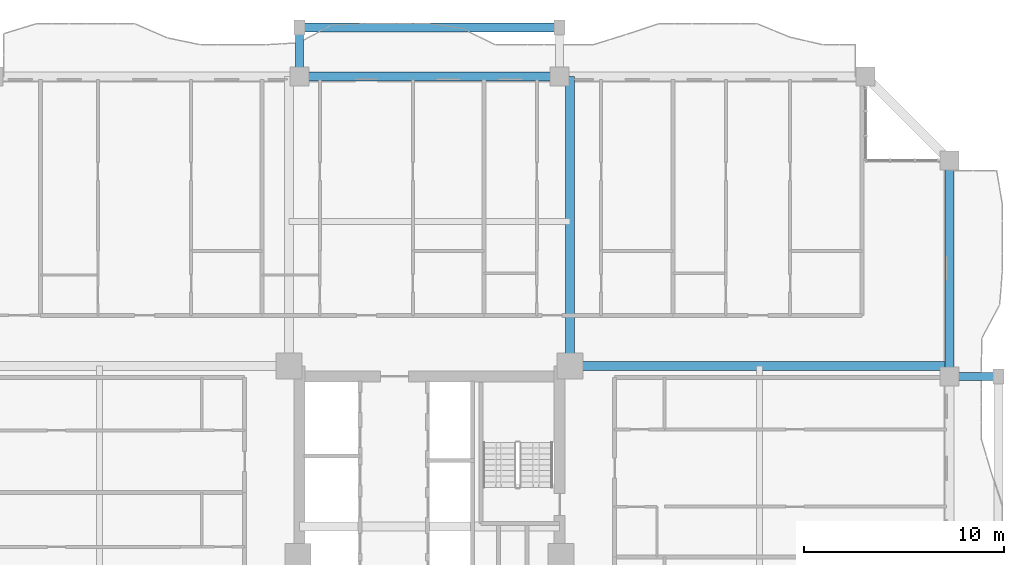
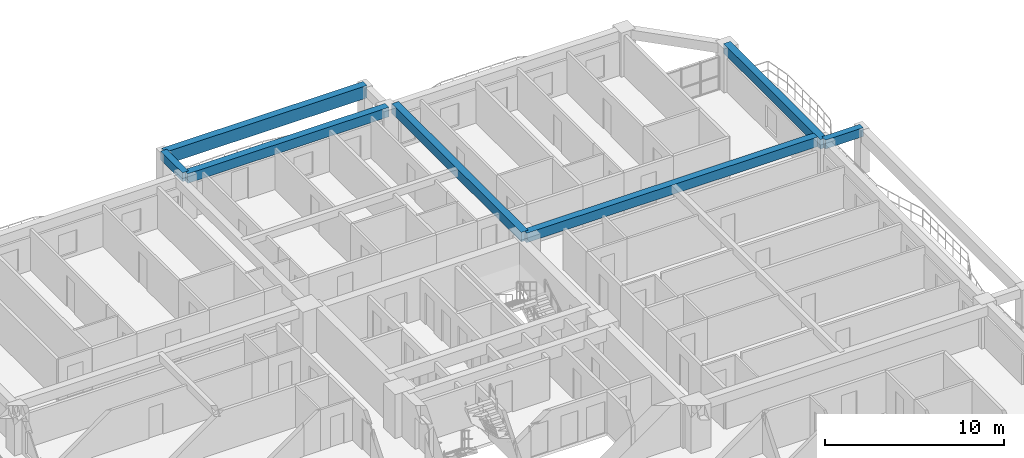
# One storey, part 9 of 26: 7 beams.
"""IFC4 building model written with IfcOpenShell, lengths in metres."""

from ifc_helpers import new_model, si_unit, direction, frame, origin, origin_2d, place, context, subcontext, project, spatial, rectangle, extrude, source, transform, mapped, material, material_profile, profile_set, type_object, element, save


model = new_model("IFC4")

# Units and contexts
model_context = context("Model", 3, precision=1e-05, world=origin(), true_north=direction((0.0, 1.0)))
body_context = subcontext(model_context, "Body", "Model", "MODEL_VIEW")
ifc_project = project(units=[si_unit("LENGTHUNIT", "METRE"), si_unit("AREAUNIT", "SQUARE_METRE"), si_unit("VOLUMEUNIT", "CUBIC_METRE"), si_unit("PLANEANGLEUNIT", "RADIAN"), si_unit("MASSUNIT", "GRAM", prefix="KILO")], contexts=[model_context])

# Site, building, storey
site_placement = place(None, origin())
site = spatial("IfcSite", under=ifc_project, at=site_placement, CompositionType="ELEMENT")
building_placement = place(site_placement, origin())
building = spatial("IfcBuilding", under=site, at=building_placement, Name="Saelheon Loggia Tower", CompositionType="ELEMENT")
storey_placement = place(building_placement, frame((0.0, 0.0, 89.85009765625)))
storey = spatial("IfcBuildingStorey", under=building, at=storey_placement, Name="L28", CompositionType="ELEMENT", Elevation=89.85009765625)

# Beams
ifc_material_1 = material(Name="Precast Concrete C45/55", Category="concrete")
ifc_material_profile_1 = material_profile(ifc_material_1, rectangle(XDim=0.449951171875, YDim=0.85009765625, at=origin_2d()), Name="RC-450x850")
ifc_profile_set_1 = profile_set([ifc_material_profile_1], Name="Precast Concrete C45/55")
beam_type_1 = type_object("IfcBeamType", Name="Beam_LoggiaSpandrel_RC450x850", PredefinedType="SPANDREL", material=ifc_profile_set_1)
shared_shape_1 = source(origin(), body_context, "Body", "SweptSolid", [
    extrude(rectangle(XDim=0.449951171875, YDim=0.85009765625, at=origin_2d()), origin(), (0.0, 0.0, 1.0), 13.0),
])
beam_1_placement = place(storey_placement, frame((31.5, 53.449951171875, 2.574951171875), z_axis=(1.0, 0.0, 0.0), x_axis=(0.0, 1.0, 0.0)))
element("IfcBeam", 1, at=beam_1_placement, inside=storey, type_object=beam_type_1, Name="L28 Loggia Spandrel Beam N", PredefinedType="SPANDREL", context=body_context, shape_type="MappedRepresentation", body=[
    mapped(shared_shape_1, transform((0.0, 0.0, 0.0), scale=1.0)),
])
ifc_material_profile_2 = material_profile(ifc_material_1, rectangle(XDim=0.39990234375, YDim=0.60009765625, at=origin_2d()), Name="RC-400x600")
ifc_profile_set_2 = profile_set([ifc_material_profile_2], Name="Precast Concrete C45/55")
beam_type_2 = type_object("IfcBeamType", Name="Beam_LoggiaTie_RC400x600", PredefinedType="BEAM", material=ifc_profile_set_2)
shared_shape_2 = source(origin(), body_context, "Body", "SweptSolid", [
    extrude(rectangle(XDim=0.39990234375, YDim=0.60009765625, at=origin_2d()), origin(), (0.0, 0.0, 1.0), 2.449951171875),
])
for number, where, z_axis, x_axis, name in (
    (2, (31.5, 51.0, 2.699951171875), (0.0, 1.0, 0.0), (-1.0, 0.0, 0.0), "L28 Loggia Frame Tie Beam LP-N1"),
    (3, (64.0, 36.0, 2.699951171875), (1.0, 0.0, 0.0), (0.0, 1.0, 0.0), "L28 Loggia Frame Tie Beam LP-E2"),
):
    element("IfcBeam", number, at=place(storey_placement, frame(where, z_axis=z_axis, x_axis=x_axis)), inside=storey, type_object=beam_type_2, Name=name, PredefinedType="BEAM", context=body_context, shape_type="MappedRepresentation", body=[
        mapped(shared_shape_2, transform((0.0, 0.0, 0.0), scale=1.0)),
    ])
ifc_material_2 = material(Name="Concrete C40/50", Category="concrete")
ifc_material_profile_3 = material_profile(ifc_material_2, rectangle(XDim=0.449951171875, YDim=0.64990234375, at=origin_2d()), Name="RC-450x650")
ifc_profile_set_3 = profile_set([ifc_material_profile_3], Name="Concrete C40/50")
beam_type_3 = type_object("IfcBeamType", Name="Beam_PerimTower_RC450x650", PredefinedType="BEAM", material=ifc_profile_set_3)
shared_shape_3 = source(origin(), body_context, "Body", "SweptSolid", [
    extrude(rectangle(XDim=0.449951171875, YDim=0.64990234375, at=origin_2d()), origin(), (0.0, 0.0, 1.0), 13.0),
])
beam_2_placement = place(storey_placement, frame((44.5, 51.0, 2.6748046875), z_axis=(-1.0, 0.0, 0.0), x_axis=(0.0, -1.0, 0.0)))
element("IfcBeam", 4, at=beam_2_placement, inside=storey, type_object=beam_type_3, Name="L28 Perimeter Frame Girder 10", PredefinedType="BEAM", context=body_context, shape_type="MappedRepresentation", body=[
    mapped(shared_shape_3, transform((0.0, 0.0, 0.0), scale=1.0)),
])
shared_shape_4 = source(origin(), body_context, "Body", "SweptSolid", [
    extrude(rectangle(XDim=0.449951171875, YDim=0.64990234375, at=origin_2d()), origin(), (0.0, 0.0, 1.0), 10.800048828125),
])
beam_3_placement = place(storey_placement, frame((64.0, 36.0, 2.6748046875), z_axis=(0.0, 1.0, 0.0), x_axis=(-1.0, 0.0, 0.0)))
element("IfcBeam", 5, at=beam_3_placement, inside=storey, type_object=beam_type_3, Name="L28 Perimeter Frame Girder 07", PredefinedType="BEAM", context=body_context, shape_type="MappedRepresentation", body=[
    mapped(shared_shape_4, transform((0.0, 0.0, 0.0), scale=1.0)),
])
ifc_material_profile_4 = material_profile(ifc_material_2, rectangle(XDim=0.449951171875, YDim=0.64990234375, at=origin_2d()), Name="RC-450x650")
ifc_profile_set_4 = profile_set([ifc_material_profile_4], Name="Concrete C40/50")
beam_type_4 = type_object("IfcBeamType", Name="Beam_TowerGirder_RC450x650", PredefinedType="BEAM", material=ifc_profile_set_4)
shared_shape_5 = source(origin(), body_context, "Body", "SweptSolid", [
    extrude(rectangle(XDim=0.449951171875, YDim=0.64990234375, at=origin_2d()), origin(), (0.0, 0.0, 1.0), 14.47998046875),
])
beam_4_placement = place(storey_placement, frame((45.02001953125, 36.52001953125, 2.6748046875), z_axis=(0.0, 1.0, 0.0), x_axis=(-1.0, 0.0, 0.0)))
element("IfcBeam", 6, at=beam_4_placement, inside=storey, type_object=beam_type_4, Name="L28 Radial Floor Girder RAD-NE-N", PredefinedType="BEAM", context=body_context, shape_type="MappedRepresentation", body=[
    mapped(shared_shape_5, transform((0.0, 0.0, 0.0), scale=1.0)),
])
shared_shape_6 = source(origin(), body_context, "Body", "SweptSolid", [
    extrude(rectangle(XDim=0.449951171875, YDim=0.64990234375, at=origin_2d()), origin(), (0.0, 0.0, 1.0), 18.97998046875),
])
beam_5_placement = place(storey_placement, frame((45.02001953125, 36.52001953125, 2.6748046875), z_axis=(1.0, 0.0, 0.0), x_axis=(0.0, 1.0, 0.0)))
element("IfcBeam", 7, at=beam_5_placement, inside=storey, type_object=beam_type_4, Name="L28 Radial Floor Girder RAD-NE-E", PredefinedType="BEAM", context=body_context, shape_type="MappedRepresentation", body=[
    mapped(shared_shape_6, transform((0.0, 0.0, 0.0), scale=1.0)),
])

save(model, "model.ifc")
